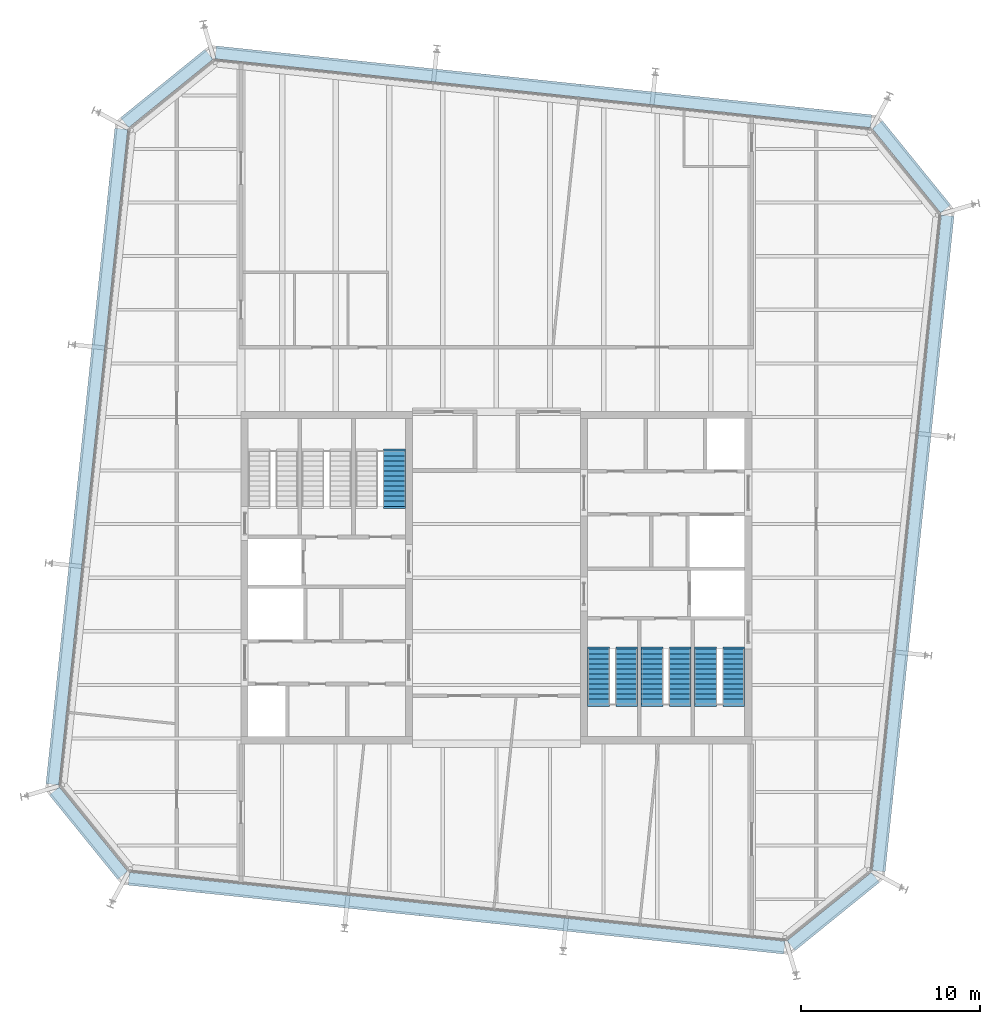
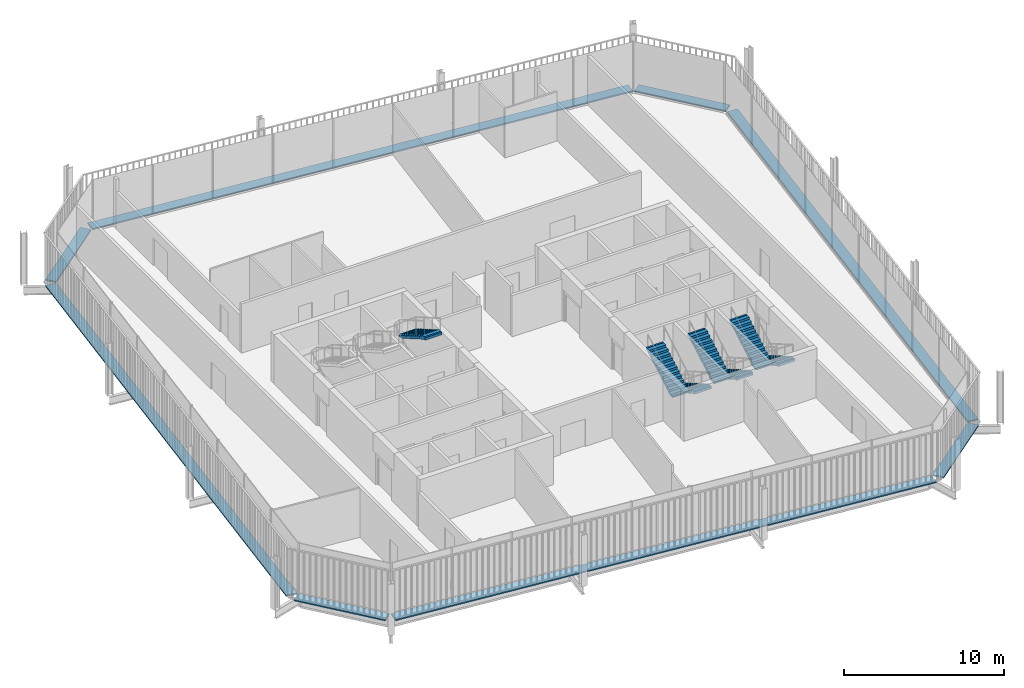
# One storey, part 19 of 20: 8 discrete accessories, 7 stair flights, 4 elements without a shape of their own.
"""IFC4 building model written with IfcOpenShell, lengths in metres."""

from ifc_helpers import new_model, si_unit, direction, frame, origin, origin_2d, place, context, subcontext, project, spatial, polyline, rectangle, outline, extrude, material, type_object, element, aggregate, save


model = new_model("IFC4")

# Units and contexts
model_context = context("Model", 3, precision=1e-05, world=origin(), true_north=direction((0.0, 1.0)))
body_context = subcontext(model_context, "Body", "Model", "MODEL_VIEW")
ifc_project = project(units=[si_unit("LENGTHUNIT", "METRE"), si_unit("AREAUNIT", "SQUARE_METRE"), si_unit("VOLUMEUNIT", "CUBIC_METRE"), si_unit("PLANEANGLEUNIT", "RADIAN"), si_unit("MASSUNIT", "GRAM", prefix="KILO")], contexts=[model_context])

# Site, building, storey
site_placement = place(None, origin())
site = spatial("IfcSite", under=ifc_project, at=site_placement, CompositionType="ELEMENT")
building_placement = place(site_placement, origin())
building = spatial("IfcBuilding", under=site, at=building_placement, Name="Millrace Tower", CompositionType="ELEMENT")
storey_placement = place(building_placement, frame((0.0, 0.0, 287.699951171875)))
storey = spatial("IfcBuildingStorey", under=building, at=storey_placement, Name="L66", CompositionType="ELEMENT", Elevation=287.699951171875)

# Stair, stair flight
ifc_material_1 = material(Name="Concrete C35", Category="concrete")
stair_type = type_object("IfcStairType", Name="Exit stair", PredefinedType="HALF_TURN_STAIR", material=ifc_material_1)
placement = place(storey_placement, origin())
stair_1 = element("IfcStair", 1, at=placement, inside=storey, type_object=stair_type, Name="Stair 3 W L66", PredefinedType="HALF_TURN_STAIR")
ifc_material_2 = material(Name="Concrete C35", Category="concrete")
stair_flight_type = type_object("IfcStairFlightType", Name="Exit stair flight", PredefinedType="STRAIGHT", material=ifc_material_2)
stair_flight_1_placement = place(storey_placement, frame((-5.7099609375, 7.080078125, 1.949951171875), z_axis=(0.0, 0.0, 1.0), x_axis=(0.0, -1.0, 0.0)))
stair_flight_1 = element("IfcStairFlight", 2, at=stair_flight_1_placement, type_object=stair_flight_type, Name="ST12 flight 2", NumberOfRisers=12, NumberOfTreads=11, PredefinedType="STRAIGHT", RiserHeight=0.1625, TreadLength=0.28, context=body_context, shape_type="SweptSolid", body=[
    extrude(outline(polyline([(-0.1201171875, -0.0400390625), (-0.1201171875, 0.0), (0.0, 0.0), (0.0, 0.16259765625), (0.280029296875, 0.16259765625), (0.280029296875, 0.324951171875), (0.56005859375, 0.324951171875), (0.56005859375, 0.487548828125), (0.840087890625, 0.487548828125), (0.840087890625, 0.64990234375), (1.1201171875, 0.64990234375), (1.1201171875, 0.8125), (1.39990234375, 0.8125), (1.39990234375, 0.97509765625), (1.679931640625, 0.97509765625), (1.679931640625, 1.137451171875), (1.9599609375, 1.137451171875), (1.9599609375, 1.300048828125), (2.239990234375, 1.300048828125), (2.239990234375, 1.46240234375), (2.52001953125, 1.46240234375), (2.52001953125, 1.625), (2.800048828125, 1.625), (2.800048828125, 1.78759765625), (3.080078125, 1.78759765625), (3.080078125, 1.8076171875), (3.199951171875, 1.8076171875), (3.199951171875, 1.6142578125), (3.080078125, 1.6142578125), (0.298583984375, 0.0), (0.298583984375, -0.0400390625), (-0.1201171875, -0.0400390625)])), frame((0.0, 0.60986328125, 0.0), z_axis=(0.0, -1.0, 0.0), x_axis=(1.0, 0.0, 0.0)), (0.0, 0.0, 1.0), 1.219970703125),
])
aggregate(stair_1, [stair_flight_1])

# Stair, stair flights
stair_2 = element("IfcStair", 3, at=placement, inside=storey, type_object=stair_type, Name="Stair 1 E L66", PredefinedType="HALF_TURN_STAIR")
stair_flight_2_placement = place(storey_placement, frame((13.2900390625, -4.0, 0.0), z_axis=(0.0, 0.0, 1.0), x_axis=(0.0, -1.0, 0.0)))
stair_flight_2 = element("IfcStairFlight", 4, at=stair_flight_2_placement, type_object=stair_flight_type, Name="ST12 flight 1", NumberOfRisers=12, NumberOfTreads=11, PredefinedType="STRAIGHT", RiserHeight=0.1625, TreadLength=0.28, context=body_context, shape_type="SweptSolid", body=[
    extrude(outline(polyline([(-0.1201171875, -0.0400390625), (-0.1201171875, 0.0), (0.0, 0.0), (0.0, 0.16259765625), (0.280029296875, 0.16259765625), (0.280029296875, 0.324951171875), (0.56005859375, 0.324951171875), (0.56005859375, 0.487548828125), (0.840087890625, 0.487548828125), (0.840087890625, 0.64990234375), (1.1201171875, 0.64990234375), (1.1201171875, 0.8125), (1.39990234375, 0.8125), (1.39990234375, 0.97509765625), (1.679931640625, 0.97509765625), (1.679931640625, 1.137451171875), (1.9599609375, 1.137451171875), (1.9599609375, 1.300048828125), (2.239990234375, 1.300048828125), (2.239990234375, 1.46240234375), (2.52001953125, 1.46240234375), (2.52001953125, 1.625), (2.800048828125, 1.625), (2.800048828125, 1.78759765625), (3.080078125, 1.78759765625), (3.080078125, 1.8076171875), (3.199951171875, 1.8076171875), (3.199951171875, 1.6142578125), (3.080078125, 1.6142578125), (0.298583984375, 0.0), (0.298583984375, -0.0400390625), (-0.1201171875, -0.0400390625)])), frame((0.0, 0.60986328125, 0.0), z_axis=(0.0, -1.0, 0.0), x_axis=(1.0, 0.0, 0.0)), (0.0, 0.0, 1.0), 1.219970703125),
])
stair_flight_3_placement = place(storey_placement, frame((11.7099609375, -7.080078125, 1.949951171875), z_axis=(0.0, 0.0, 1.0), x_axis=(0.0, 1.0, 0.0)))
stair_flight_3 = element("IfcStairFlight", 5, at=stair_flight_3_placement, type_object=stair_flight_type, Name="ST12 flight 2", NumberOfRisers=12, NumberOfTreads=11, PredefinedType="STRAIGHT", RiserHeight=0.1625, TreadLength=0.28, context=body_context, shape_type="SweptSolid", body=[
    extrude(outline(polyline([(-0.1201171875, -0.0400390625), (-0.1201171875, 0.0), (0.0, 0.0), (0.0, 0.16259765625), (0.280029296875, 0.16259765625), (0.280029296875, 0.324951171875), (0.56005859375, 0.324951171875), (0.56005859375, 0.487548828125), (0.840087890625, 0.487548828125), (0.840087890625, 0.64990234375), (1.1201171875, 0.64990234375), (1.1201171875, 0.8125), (1.39990234375, 0.8125), (1.39990234375, 0.97509765625), (1.679931640625, 0.97509765625), (1.679931640625, 1.137451171875), (1.9599609375, 1.137451171875), (1.9599609375, 1.300048828125), (2.239990234375, 1.300048828125), (2.239990234375, 1.46240234375), (2.52001953125, 1.46240234375), (2.52001953125, 1.625), (2.800048828125, 1.625), (2.800048828125, 1.78759765625), (3.080078125, 1.78759765625), (3.080078125, 1.8076171875), (3.199951171875, 1.8076171875), (3.199951171875, 1.6142578125), (3.080078125, 1.6142578125), (0.298583984375, 0.0), (0.298583984375, -0.0400390625), (-0.1201171875, -0.0400390625)])), frame((0.0, 0.60986328125, 0.0), z_axis=(0.0, -1.0, 0.0), x_axis=(1.0, 0.0, 0.0)), (0.0, 0.0, 1.0), 1.219970703125),
])
aggregate(stair_2, [stair_flight_2, stair_flight_3])

stair_3 = element("IfcStair", 6, at=placement, inside=storey, type_object=stair_type, Name="Stair 2 E L66", PredefinedType="HALF_TURN_STAIR")
stair_flight_4_placement = place(storey_placement, frame((10.2900390625, -4.0, 0.0), z_axis=(0.0, 0.0, 1.0), x_axis=(0.0, -1.0, 0.0)))
stair_flight_4 = element("IfcStairFlight", 7, at=stair_flight_4_placement, type_object=stair_flight_type, Name="ST12 flight 1", NumberOfRisers=12, NumberOfTreads=11, PredefinedType="STRAIGHT", RiserHeight=0.1625, TreadLength=0.28, context=body_context, shape_type="SweptSolid", body=[
    extrude(outline(polyline([(-0.1201171875, -0.0400390625), (-0.1201171875, 0.0), (0.0, 0.0), (0.0, 0.16259765625), (0.280029296875, 0.16259765625), (0.280029296875, 0.324951171875), (0.56005859375, 0.324951171875), (0.56005859375, 0.487548828125), (0.840087890625, 0.487548828125), (0.840087890625, 0.64990234375), (1.1201171875, 0.64990234375), (1.1201171875, 0.8125), (1.39990234375, 0.8125), (1.39990234375, 0.97509765625), (1.679931640625, 0.97509765625), (1.679931640625, 1.137451171875), (1.9599609375, 1.137451171875), (1.9599609375, 1.300048828125), (2.239990234375, 1.300048828125), (2.239990234375, 1.46240234375), (2.52001953125, 1.46240234375), (2.52001953125, 1.625), (2.800048828125, 1.625), (2.800048828125, 1.78759765625), (3.080078125, 1.78759765625), (3.080078125, 1.8076171875), (3.199951171875, 1.8076171875), (3.199951171875, 1.6142578125), (3.080078125, 1.6142578125), (0.298583984375, 0.0), (0.298583984375, -0.0400390625), (-0.1201171875, -0.0400390625)])), frame((0.0, 0.60986328125, 0.0), z_axis=(0.0, -1.0, 0.0), x_axis=(1.0, 0.0, 0.0)), (0.0, 0.0, 1.0), 1.219970703125),
])
stair_flight_5_placement = place(storey_placement, frame((8.7099609375, -7.080078125, 1.949951171875), z_axis=(0.0, 0.0, 1.0), x_axis=(0.0, 1.0, 0.0)))
stair_flight_5 = element("IfcStairFlight", 8, at=stair_flight_5_placement, type_object=stair_flight_type, Name="ST12 flight 2", NumberOfRisers=12, NumberOfTreads=11, PredefinedType="STRAIGHT", RiserHeight=0.1625, TreadLength=0.28, context=body_context, shape_type="SweptSolid", body=[
    extrude(outline(polyline([(-0.1201171875, -0.0400390625), (-0.1201171875, 0.0), (0.0, 0.0), (0.0, 0.16259765625), (0.280029296875, 0.16259765625), (0.280029296875, 0.324951171875), (0.56005859375, 0.324951171875), (0.56005859375, 0.487548828125), (0.840087890625, 0.487548828125), (0.840087890625, 0.64990234375), (1.1201171875, 0.64990234375), (1.1201171875, 0.8125), (1.39990234375, 0.8125), (1.39990234375, 0.97509765625), (1.679931640625, 0.97509765625), (1.679931640625, 1.137451171875), (1.9599609375, 1.137451171875), (1.9599609375, 1.300048828125), (2.239990234375, 1.300048828125), (2.239990234375, 1.46240234375), (2.52001953125, 1.46240234375), (2.52001953125, 1.625), (2.800048828125, 1.625), (2.800048828125, 1.78759765625), (3.080078125, 1.78759765625), (3.080078125, 1.8076171875), (3.199951171875, 1.8076171875), (3.199951171875, 1.6142578125), (3.080078125, 1.6142578125), (0.298583984375, 0.0), (0.298583984375, -0.0400390625), (-0.1201171875, -0.0400390625)])), frame((0.0, 0.60986328125, 0.0), z_axis=(0.0, -1.0, 0.0), x_axis=(1.0, 0.0, 0.0)), (0.0, 0.0, 1.0), 1.219970703125),
])
aggregate(stair_3, [stair_flight_4, stair_flight_5])

stair_4 = element("IfcStair", 9, at=placement, inside=storey, type_object=stair_type, Name="Stair 3 E L66", PredefinedType="HALF_TURN_STAIR")
stair_flight_6_placement = place(storey_placement, frame((7.2900390625, -4.0, 0.0), z_axis=(0.0, 0.0, 1.0), x_axis=(0.0, -1.0, 0.0)))
stair_flight_6 = element("IfcStairFlight", 10, at=stair_flight_6_placement, type_object=stair_flight_type, Name="ST12 flight 1", NumberOfRisers=12, NumberOfTreads=11, PredefinedType="STRAIGHT", RiserHeight=0.1625, TreadLength=0.28, context=body_context, shape_type="SweptSolid", body=[
    extrude(outline(polyline([(-0.1201171875, -0.0400390625), (-0.1201171875, 0.0), (0.0, 0.0), (0.0, 0.16259765625), (0.280029296875, 0.16259765625), (0.280029296875, 0.324951171875), (0.56005859375, 0.324951171875), (0.56005859375, 0.487548828125), (0.840087890625, 0.487548828125), (0.840087890625, 0.64990234375), (1.1201171875, 0.64990234375), (1.1201171875, 0.8125), (1.39990234375, 0.8125), (1.39990234375, 0.97509765625), (1.679931640625, 0.97509765625), (1.679931640625, 1.137451171875), (1.9599609375, 1.137451171875), (1.9599609375, 1.300048828125), (2.239990234375, 1.300048828125), (2.239990234375, 1.46240234375), (2.52001953125, 1.46240234375), (2.52001953125, 1.625), (2.800048828125, 1.625), (2.800048828125, 1.78759765625), (3.080078125, 1.78759765625), (3.080078125, 1.8076171875), (3.199951171875, 1.8076171875), (3.199951171875, 1.6142578125), (3.080078125, 1.6142578125), (0.298583984375, 0.0), (0.298583984375, -0.0400390625), (-0.1201171875, -0.0400390625)])), frame((0.0, 0.60986328125, 0.0), z_axis=(0.0, -1.0, 0.0), x_axis=(1.0, 0.0, 0.0)), (0.0, 0.0, 1.0), 1.219970703125),
])
stair_flight_7_placement = place(storey_placement, frame((5.7099609375, -7.080078125, 1.949951171875), z_axis=(0.0, 0.0, 1.0), x_axis=(0.0, 1.0, 0.0)))
stair_flight_7 = element("IfcStairFlight", 11, at=stair_flight_7_placement, type_object=stair_flight_type, Name="ST12 flight 2", NumberOfRisers=12, NumberOfTreads=11, PredefinedType="STRAIGHT", RiserHeight=0.1625, TreadLength=0.28, context=body_context, shape_type="SweptSolid", body=[
    extrude(outline(polyline([(-0.1201171875, -0.0400390625), (-0.1201171875, 0.0), (0.0, 0.0), (0.0, 0.16259765625), (0.280029296875, 0.16259765625), (0.280029296875, 0.324951171875), (0.56005859375, 0.324951171875), (0.56005859375, 0.487548828125), (0.840087890625, 0.487548828125), (0.840087890625, 0.64990234375), (1.1201171875, 0.64990234375), (1.1201171875, 0.8125), (1.39990234375, 0.8125), (1.39990234375, 0.97509765625), (1.679931640625, 0.97509765625), (1.679931640625, 1.137451171875), (1.9599609375, 1.137451171875), (1.9599609375, 1.300048828125), (2.239990234375, 1.300048828125), (2.239990234375, 1.46240234375), (2.52001953125, 1.46240234375), (2.52001953125, 1.625), (2.800048828125, 1.625), (2.800048828125, 1.78759765625), (3.080078125, 1.78759765625), (3.080078125, 1.8076171875), (3.199951171875, 1.8076171875), (3.199951171875, 1.6142578125), (3.080078125, 1.6142578125), (0.298583984375, 0.0), (0.298583984375, -0.0400390625), (-0.1201171875, -0.0400390625)])), frame((0.0, 0.60986328125, 0.0), z_axis=(0.0, -1.0, 0.0), x_axis=(1.0, 0.0, 0.0)), (0.0, 0.0, 1.0), 1.219970703125),
])
aggregate(stair_4, [stair_flight_6, stair_flight_7])

# Discrete accessories
ifc_material_3 = material(Name="Stainless steel ASTM A240 type 316", Category="steel")
discrete_accessory_type = type_object("IfcDiscreteAccessoryType", Name="Thermally broken screen support rail", PredefinedType="BRACKET", material=ifc_material_3)
discrete_accessory_1_placement = place(storey_placement, frame((-22.836669921875, -14.304931640625, 0.0), z_axis=(0.0, 0.0, 1.0), x_axis=(0.629320278945, -0.777146052237, 0.0)))
element("IfcDiscreteAccessory", 12, at=discrete_accessory_1_placement, inside=storey, type_object=discrete_accessory_type, Name="Thermally broken screen support rail E-F01 L66 1", PredefinedType="BRACKET", context=body_context, shape_type="SweptSolid", body=[
    extrude(rectangle(XDim=6.0810546875, YDim=0.719970703125, at=origin_2d()), origin(), (0.0, 0.0, 1.0), 0.10009765625),
])
discrete_accessory_2_placement = place(storey_placement, frame((-2.2314453125, -18.782470703125, 0.0), z_axis=(0.0, 0.0, 1.0), x_axis=(0.994521896217, -0.104528455196, 0.0)))
element("IfcDiscreteAccessory", 13, at=discrete_accessory_2_placement, inside=storey, type_object=discrete_accessory_type, Name="Thermally broken screen support rail E-F02 L66 1", PredefinedType="BRACKET", context=body_context, shape_type="SweptSolid", body=[
    extrude(rectangle(XDim=36.89990234375, YDim=0.719970703125, at=origin_2d()), origin(), (0.0, 0.0, 1.0), 0.10009765625),
])
discrete_accessory_3_placement = place(storey_placement, frame((18.854736328125, -18.686767578125, 0.0), z_axis=(0.0, 0.0, 1.0), x_axis=(0.777146052237, 0.629320278945, 0.0)))
element("IfcDiscreteAccessory", 14, at=discrete_accessory_3_placement, inside=storey, type_object=discrete_accessory_type, Name="Thermally broken screen support rail E-F03 L66 1", PredefinedType="BRACKET", context=body_context, shape_type="SweptSolid", body=[
    extrude(rectangle(XDim=6.0810546875, YDim=0.719970703125, at=origin_2d()), origin(), (0.0, 0.0, 1.0), 0.10009765625),
])
discrete_accessory_4_placement = place(storey_placement, frame((23.33251953125, 1.918701171875, 0.0), z_axis=(0.0, 0.0, 1.0), x_axis=(0.104528455196, 0.994521896217, 0.0)))
element("IfcDiscreteAccessory", 15, at=discrete_accessory_4_placement, inside=storey, type_object=discrete_accessory_type, Name="Thermally broken screen support rail E-F04 L66 1", PredefinedType="BRACKET", context=body_context, shape_type="SweptSolid", body=[
    extrude(rectangle(XDim=36.89990234375, YDim=0.719970703125, at=origin_2d()), origin(), (0.0, 0.0, 1.0), 0.10009765625),
])
discrete_accessory_5_placement = place(storey_placement, frame((23.23681640625, 23.0048828125, 0.0), z_axis=(0.0, 0.0, 1.0), x_axis=(-0.629320278945, 0.777146052237, 0.0)))
element("IfcDiscreteAccessory", 16, at=discrete_accessory_5_placement, inside=storey, type_object=discrete_accessory_type, Name="Thermally broken screen support rail E-F05 L66 1", PredefinedType="BRACKET", context=body_context, shape_type="SweptSolid", body=[
    extrude(rectangle(XDim=6.0810546875, YDim=0.719970703125, at=origin_2d()), origin(), (0.0, 0.0, 1.0), 0.10009765625),
])
discrete_accessory_6_placement = place(storey_placement, frame((2.63134765625, 27.482666015625, 0.0), z_axis=(0.0, 0.0, 1.0), x_axis=(-0.994521896217, 0.104528455196, 0.0)))
element("IfcDiscreteAccessory", 17, at=discrete_accessory_6_placement, inside=storey, type_object=discrete_accessory_type, Name="Thermally broken screen support rail E-F06 L66 1", PredefinedType="BRACKET", context=body_context, shape_type="SweptSolid", body=[
    extrude(rectangle(XDim=36.89990234375, YDim=0.719970703125, at=origin_2d()), origin(), (0.0, 0.0, 1.0), 0.10009765625),
])
discrete_accessory_7_placement = place(storey_placement, frame((-18.454833984375, 27.38671875, 0.0), z_axis=(0.0, 0.0, 1.0), x_axis=(-0.777146052237, -0.629320278945, 0.0)))
element("IfcDiscreteAccessory", 18, at=discrete_accessory_7_placement, inside=storey, type_object=discrete_accessory_type, Name="Thermally broken screen support rail E-F07 L66 1", PredefinedType="BRACKET", context=body_context, shape_type="SweptSolid", body=[
    extrude(rectangle(XDim=6.0810546875, YDim=0.719970703125, at=origin_2d()), origin(), (0.0, 0.0, 1.0), 0.10009765625),
])
discrete_accessory_8_placement = place(storey_placement, frame((-22.9326171875, 6.78125, 0.0), z_axis=(0.0, 0.0, 1.0), x_axis=(-0.104528455196, -0.994521896217, 0.0)))
element("IfcDiscreteAccessory", 19, at=discrete_accessory_8_placement, inside=storey, type_object=discrete_accessory_type, Name="Thermally broken screen support rail E-F08 L66 1", PredefinedType="BRACKET", context=body_context, shape_type="SweptSolid", body=[
    extrude(rectangle(XDim=36.89990234375, YDim=0.719970703125, at=origin_2d()), origin(), (0.0, 0.0, 1.0), 0.10009765625),
])

save(model, "model.ifc")
